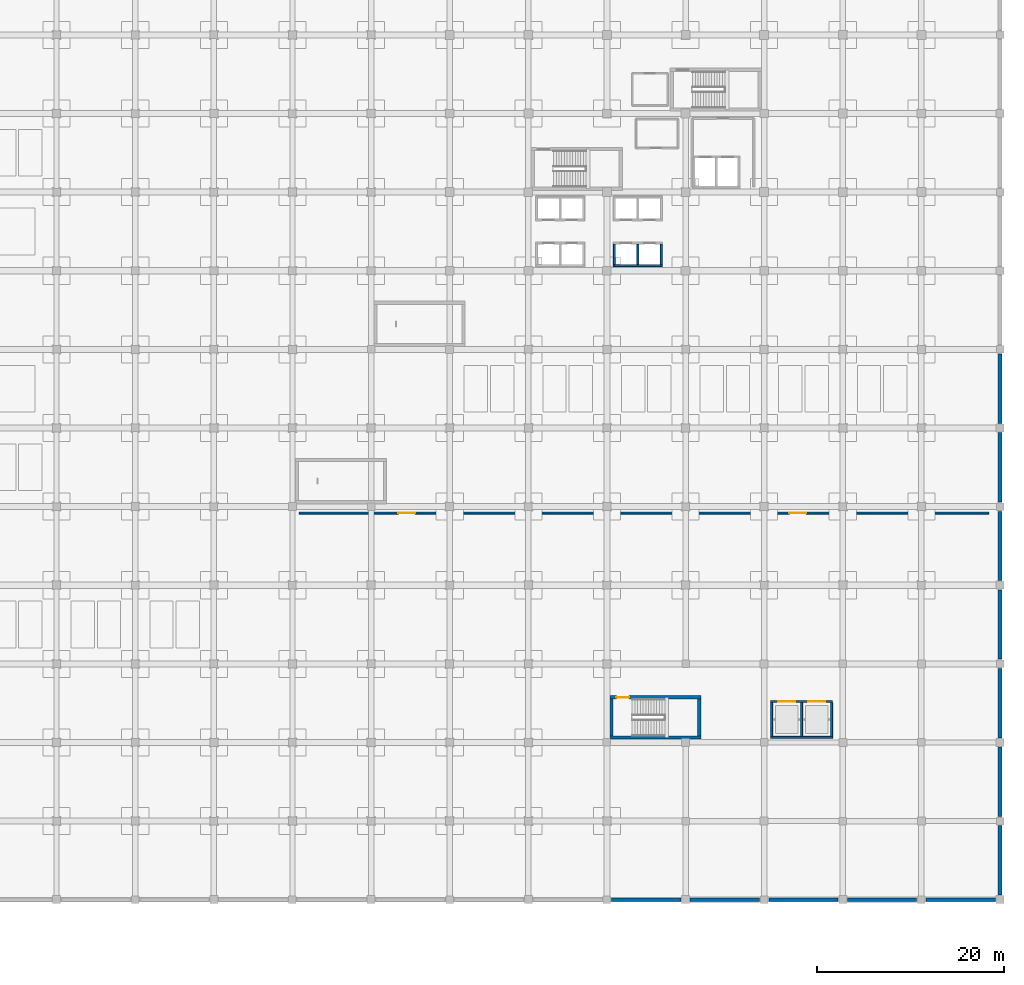
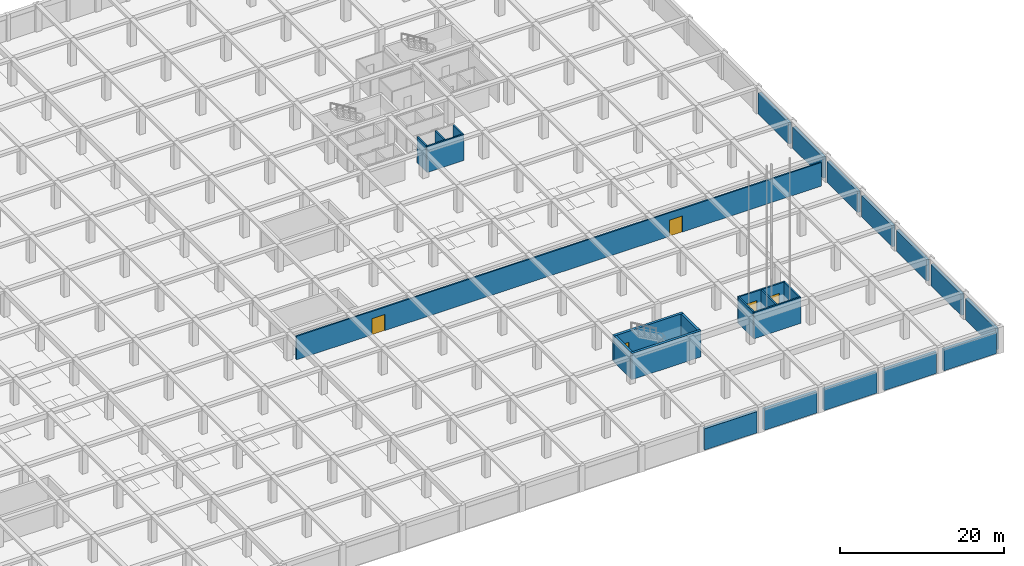
# One storey, part 19 of 32: 26 walls, 5 doors, 5 openings.
"""IFC4 building model written with IfcOpenShell, lengths in metres."""

from ifc_helpers import new_model, si_unit, direction, frame, frame_2d, origin, place, context, subcontext, project, spatial, rectangle, extrude, material, layer, layer_set, type_object, element, fill, save


model = new_model("IFC4")

# Units and contexts
model_context = context("Model", 3, precision=1e-05, world=origin(), true_north=direction((0.0, 1.0)))
body_context = subcontext(model_context, "Body", "Model", "MODEL_VIEW")
ifc_project = project(units=[si_unit("LENGTHUNIT", "METRE"), si_unit("AREAUNIT", "SQUARE_METRE"), si_unit("VOLUMEUNIT", "CUBIC_METRE"), si_unit("PLANEANGLEUNIT", "RADIAN"), si_unit("MASSUNIT", "GRAM", prefix="KILO")], contexts=[model_context])

# Site, building, storey
site_placement = place(None, origin())
site = spatial("IfcSite", under=ifc_project, at=site_placement, CompositionType="ELEMENT")
building_placement = place(site_placement, origin())
building = spatial("IfcBuilding", under=site, at=building_placement, Name="Almacenes y Pasaje Nevantli", CompositionType="ELEMENT")
storey_placement = place(building_placement, frame((0.0, 0.0, -4.199951171875)))
storey = spatial("IfcBuildingStorey", under=building, at=storey_placement, Name="B01", CompositionType="ELEMENT", Elevation=-4.199951171875)

# Wall, openings, doors
ifc_material_1 = material(Name="Fire-Rated Concrete Blockwork", Category="masonry")
ifc_layer_1 = layer(ifc_material_1, 0.199951171875)
ifc_layer_set_1 = layer_set([ifc_layer_1], Name="Fire-Rated Concrete Blockwork")
wall_type_1 = type_object("IfcWallType", Name="WL-COMP-200", PredefinedType="PARTITIONING", material=ifc_layer_set_1)
wall_1_placement = place(storey_placement, frame((93.10009765625, 41.300048828125, 0.0), z_axis=(0.0, 0.0, 1.0), x_axis=(1.0, 0.0, 0.0)))
wall_1 = element("IfcWall", 1, at=wall_1_placement, inside=storey, type_object=wall_type_1, Name="B01 Interior Partition Wall IW-200 #31", PredefinedType="PARTITIONING", context=body_context, shape_type="SweptSolid", body=[
    extrude(rectangle(XDim=73.699951171875, YDim=0.199951171875, at=frame_2d((36.85009765625, 0.0))), origin(), (0.0, 0.0, 1.0), 3.5),
])
opening_1_placement = place(wall_1_placement, frame((10.60009765625, 0.0, 0.0)))
opening_1 = element("IfcOpeningElement", 2, at=opening_1_placement, cuts=wall_1, Name="Opening ID-B01-013", PredefinedType="OPENING", context=body_context, shape_type="SweptSolid", body=[
    extrude(rectangle(XDim=1.800048828125, YDim=2.39990234375, at=frame_2d((0.89990234375, 1.199951171875))), frame((0.0, 0.10986328125, 0.0), z_axis=(0.0, -1.0, 0.0), x_axis=(1.0, 0.0, 0.0)), (0.0, 0.0, 1.0), 0.219970703125),
])
opening_2_placement = place(wall_1_placement, frame((52.39990234375, 0.0, 0.0)))
opening_2 = element("IfcOpeningElement", 3, at=opening_2_placement, cuts=wall_1, Name="Opening ID-B01-014", PredefinedType="OPENING", context=body_context, shape_type="SweptSolid", body=[
    extrude(rectangle(XDim=1.800048828125, YDim=2.39990234375, at=frame_2d((0.89990234375, 1.199951171875))), frame((0.0, 0.10986328125, 0.0), z_axis=(0.0, -1.0, 0.0), x_axis=(1.0, 0.0, 0.0)), (0.0, 0.0, 1.0), 0.219970703125),
])
ifc_material_2 = material(Name="Galvanized Fire-Rated Steel", Category="steel")
door_type_1 = type_object("IfcDoorType", Name="DR-FD60-1800", OperationType="DOUBLE_DOOR_SINGLE_SWING", PredefinedType="DOOR", material=ifc_material_2)
door_1_placement = place(opening_1_placement, origin())
door_1 = element("IfcDoor", 4, at=door_1_placement, inside=storey, type_object=door_type_1, Name="B01 B01 Bulk Stockroom Double Door 1", OperationType="DOUBLE_DOOR_SINGLE_SWING", OverallHeight=2.39990234375, OverallWidth=1.800048828125, PredefinedType="DOOR", context=body_context, shape_type="SweptSolid", body=[
    extrude(rectangle(XDim=1.800048828125, YDim=2.39990234375, at=frame_2d((0.89990234375, 1.199951171875))), frame((0.0, 0.02490234375, 0.0), z_axis=(0.0, -1.0, 0.0), x_axis=(1.0, 0.0, 0.0)), (0.0, 0.0, 1.0), 0.050048828125),
])
fill(opening_1, door_1)
door_2_placement = place(opening_2_placement, origin())
door_2 = element("IfcDoor", 5, at=door_2_placement, inside=storey, type_object=door_type_1, Name="B01 B01 Bulk Stockroom Double Door 2", OperationType="DOUBLE_DOOR_SINGLE_SWING", OverallHeight=2.39990234375, OverallWidth=1.800048828125, PredefinedType="DOOR", context=body_context, shape_type="SweptSolid", body=[
    extrude(rectangle(XDim=1.800048828125, YDim=2.39990234375, at=frame_2d((0.89990234375, 1.199951171875))), frame((0.0, 0.02490234375, 0.0), z_axis=(0.0, -1.0, 0.0), x_axis=(1.0, 0.0, 0.0)), (0.0, 0.0, 1.0), 0.050048828125),
])
fill(opening_2, door_2)

# Wall
ifc_material_3 = material(Name="Concrete C45/55", Category="concrete")
ifc_layer_2 = layer(ifc_material_3, 0.35009765625)
ifc_layer_set_2 = layer_set([ifc_layer_2], Name="Concrete C45/55")
wall_type_2 = type_object("IfcWallType", Name="WL-CORE-350", PredefinedType="SHEAR", material=ifc_layer_set_2)
wall_2_placement = place(storey_placement, frame((126.300048828125, 17.324951171875, 0.0), z_axis=(0.0, 0.0, 1.0), x_axis=(1.0, 0.0, 0.0)))
element("IfcWall", 6, at=wall_2_placement, inside=storey, type_object=wall_type_2, Name="B01 Exit Stair ST-06 South Core Shear Wall", PredefinedType="SHEAR", context=body_context, shape_type="SweptSolid", body=[
    extrude(rectangle(XDim=9.75, YDim=0.35009765625, at=frame_2d((4.875, 0.0))), origin(), (0.0, 0.0, 1.0), 3.8798828125),
])

# Wall, opening, door
wall_3_placement = place(storey_placement, frame((126.300048828125, 21.625, 0.0), z_axis=(0.0, 0.0, 1.0), x_axis=(1.0, 0.0, 0.0)))
wall_3 = element("IfcWall", 7, at=wall_3_placement, inside=storey, type_object=wall_type_2, Name="B01 Exit Stair ST-06 North Core Shear Wall", PredefinedType="SHEAR", context=body_context, shape_type="SweptSolid", body=[
    extrude(rectangle(XDim=9.75, YDim=0.35009765625, at=frame_2d((4.875, 0.0))), origin(), (0.0, 0.0, 1.0), 3.8798828125),
])
opening_3_placement = place(wall_3_placement, frame((0.719970703125, 0.0, 0.0)))
opening_3 = element("IfcOpeningElement", 8, at=opening_3_placement, cuts=wall_3, Name="Opening SD-06-B01", PredefinedType="OPENING", context=body_context, shape_type="SweptSolid", body=[
    extrude(rectangle(XDim=1.35009765625, YDim=2.25, at=frame_2d((0.675048828125, 1.125))), frame((0.0, 0.18505859375, 0.0), z_axis=(0.0, -1.0, 0.0), x_axis=(1.0, 0.0, 0.0)), (0.0, 0.0, 1.0), 0.3701171875),
])
ifc_material_4 = material(Name="Galvanized Fire-Rated Steel", Category="steel")
door_type_2 = type_object("IfcDoorType", Name="DR-STAIR-1350R", OperationType="SINGLE_SWING_RIGHT", PredefinedType="DOOR", material=ifc_material_4)
door_3_placement = place(opening_3_placement, origin())
door_3 = element("IfcDoor", 9, at=door_3_placement, inside=storey, type_object=door_type_2, Name="B01 Smokeproof Exit Stair ST-06 Fire Door", OperationType="SINGLE_SWING_RIGHT", OverallHeight=2.25, OverallWidth=1.35009765625, PredefinedType="DOOR", context=body_context, shape_type="SweptSolid", body=[
    extrude(rectangle(XDim=1.35009765625, YDim=2.25, at=frame_2d((0.675048828125, 1.125))), frame((0.0, 0.02490234375, 0.0), z_axis=(0.0, -1.0, 0.0), x_axis=(1.0, 0.0, 0.0)), (0.0, 0.0, 1.0), 0.050048828125),
])
fill(opening_3, door_3)

# Walls
for number, where, z_axis, x_axis, name in (
    (10, (126.47509765625, 17.5, 0.0), (0.0, 0.0, 1.0), (0.0, 1.0, 0.0), "B01 Exit Stair ST-06 West Core Shear Wall"),
    (11, (135.875, 17.5, 0.0), (0.0, 0.0, 1.0), (0.0, 1.0, 0.0), "B01 Exit Stair ST-06 East Core Shear Wall"),
):
    element("IfcWall", number, at=place(storey_placement, frame(where, z_axis=z_axis, x_axis=x_axis)), inside=storey, type_object=wall_type_2, Name=name, PredefinedType="SHEAR", context=body_context, shape_type="SweptSolid", body=[
        extrude(rectangle(XDim=3.949951171875, YDim=0.35009765625, at=frame_2d((1.97509765625, 0.0))), origin(), (0.0, 0.0, 1.0), 3.8798828125),
    ])
ifc_material_5 = material(Name="Concrete C45/55", Category="concrete")
ifc_layer_3 = layer(ifc_material_5, 0.2099609375)
ifc_layer_set_3 = layer_set([ifc_layer_3], Name="Concrete C45/55")
wall_type_3 = type_object("IfcWallType", Name="WL-SHAFT-210", PredefinedType="SHEAR", material=ifc_layer_set_3)
wall_4_placement = place(storey_placement, frame((126.68994140625, 67.7451171875, 0.0), z_axis=(0.0, 0.0, 1.0), x_axis=(1.0, 0.0, 0.0)))
element("IfcWall", 12, at=wall_4_placement, inside=storey, type_object=wall_type_3, Name="B01 Lift Hoistway ELV-P01-ELV-P02 South Wall", PredefinedType="SHEAR", context=body_context, shape_type="SweptSolid", body=[
    extrude(rectangle(XDim=5.219970703125, YDim=0.2099609375, at=frame_2d((2.60986328125, 0.0))), origin(), (0.0, 0.0, 1.0), 3.8798828125),
])
for number, where, z_axis, x_axis, name in (
    (13, (126.794921875, 67.85009765625, 0.0), (0.0, 0.0, 1.0), (0.0, 1.0, 0.0), "B01 Lift Hoistway ELV-P01 West Wall"),
    (14, (131.804931640625, 67.85009765625, 0.0), (0.0, 0.0, 1.0), (0.0, 1.0, 0.0), "B01 Lift Hoistway ELV-P02 East Wall"),
    (15, (129.300048828125, 67.85009765625, 0.0), (0.0, 0.0, 1.0), (0.0, 1.0, 0.0), "B01 Lift Hoistway Divider Wall ELV-P01/ELV-P02"),
):
    element("IfcWall", number, at=place(storey_placement, frame(where, z_axis=z_axis, x_axis=x_axis)), inside=storey, type_object=wall_type_3, Name=name, PredefinedType="SHEAR", context=body_context, shape_type="SweptSolid", body=[
        extrude(rectangle(XDim=2.199951171875, YDim=0.2099609375, at=frame_2d((1.10009765625, 0.0))), origin(), (0.0, 0.0, 1.0), 3.8798828125),
    ])
wall_5_placement = place(storey_placement, frame((143.489990234375, 17.344970703125, 0.0), z_axis=(0.0, 0.0, 1.0), x_axis=(1.0, 0.0, 0.0)))
element("IfcWall", 16, at=wall_5_placement, inside=storey, type_object=wall_type_3, Name="B01 Lift Hoistway ELV-G01-ELV-G02 South Wall", PredefinedType="SHEAR", context=body_context, shape_type="SweptSolid", body=[
    extrude(rectangle(XDim=6.6201171875, YDim=0.2099609375, at=frame_2d((3.31005859375, 0.0))), origin(), (0.0, 0.0, 1.0), 3.8798828125),
])

# Wall, openings, doors
wall_6_placement = place(storey_placement, frame((143.489990234375, 21.155029296875, 0.0), z_axis=(0.0, 0.0, 1.0), x_axis=(1.0, 0.0, 0.0)))
wall_6 = element("IfcWall", 17, at=wall_6_placement, inside=storey, type_object=wall_type_3, Name="B01 Lift Hoistway ELV-G01-ELV-G02 North Wall", PredefinedType="SHEAR", context=body_context, shape_type="SweptSolid", body=[
    extrude(rectangle(XDim=6.6201171875, YDim=0.2099609375, at=frame_2d((3.31005859375, 0.0))), origin(), (0.0, 0.0, 1.0), 3.8798828125),
])
opening_4_placement = place(wall_6_placement, frame((0.81005859375, 0.0, 0.0)))
opening_4 = element("IfcOpeningElement", 18, at=opening_4_placement, cuts=wall_6, Name="Opening LD-G01-B01", PredefinedType="OPENING", context=body_context, shape_type="SweptSolid", body=[
    extrude(rectangle(XDim=1.800048828125, YDim=2.449951171875, at=frame_2d((0.89990234375, 1.22509765625))), frame((0.0, 0.114990234375, 0.0), z_axis=(0.0, -1.0, 0.0), x_axis=(1.0, 0.0, 0.0)), (0.0, 0.0, 1.0), 0.22998046875),
])
opening_5_placement = place(wall_6_placement, frame((4.010009765625, 0.0, 0.0)))
opening_5 = element("IfcOpeningElement", 19, at=opening_5_placement, cuts=wall_6, Name="Opening LD-G02-B01", PredefinedType="OPENING", context=body_context, shape_type="SweptSolid", body=[
    extrude(rectangle(XDim=1.800048828125, YDim=2.449951171875, at=frame_2d((0.89990234375, 1.22509765625))), frame((0.0, 0.114990234375, 0.0), z_axis=(0.0, -1.0, 0.0), x_axis=(1.0, 0.0, 0.0)), (0.0, 0.0, 1.0), 0.22998046875),
])
ifc_material_6 = material(Name="Heavy-Duty Stainless Steel", Category="steel")
door_type_3 = type_object("IfcDoorType", Name="DR-LD-GOODS-1800", OperationType="DOUBLE_DOOR_SLIDING", PredefinedType="DOOR", material=ifc_material_6)
door_4_placement = place(opening_4_placement, origin())
door_4 = element("IfcDoor", 20, at=door_4_placement, inside=storey, type_object=door_type_3, Name="Lift Landing Door ELV-G01 B01", OperationType="DOUBLE_DOOR_SLIDING", OverallHeight=2.449951171875, OverallWidth=1.800048828125, PredefinedType="DOOR", context=body_context, shape_type="SweptSolid", body=[
    extrude(rectangle(XDim=1.800048828125, YDim=2.449951171875, at=frame_2d((0.89990234375, 1.22509765625))), frame((0.0, 0.02490234375, 0.0), z_axis=(0.0, -1.0, 0.0), x_axis=(1.0, 0.0, 0.0)), (0.0, 0.0, 1.0), 0.050048828125),
])
fill(opening_4, door_4)
door_5_placement = place(opening_5_placement, origin())
door_5 = element("IfcDoor", 21, at=door_5_placement, inside=storey, type_object=door_type_3, Name="Lift Landing Door ELV-G02 B01", OperationType="DOUBLE_DOOR_SLIDING", OverallHeight=2.449951171875, OverallWidth=1.800048828125, PredefinedType="DOOR", context=body_context, shape_type="SweptSolid", body=[
    extrude(rectangle(XDim=1.800048828125, YDim=2.449951171875, at=frame_2d((0.89990234375, 1.22509765625))), frame((0.0, 0.02490234375, 0.0), z_axis=(0.0, -1.0, 0.0), x_axis=(1.0, 0.0, 0.0)), (0.0, 0.0, 1.0), 0.050048828125),
])
fill(opening_5, door_5)

# Walls
for number, where, z_axis, x_axis, name in (
    (22, (143.594970703125, 17.449951171875, 0.0), (0.0, 0.0, 1.0), (0.0, 1.0, 0.0), "B01 Lift Hoistway ELV-G01 West Wall"),
    (23, (150.0048828125, 17.449951171875, 0.0), (0.0, 0.0, 1.0), (0.0, 1.0, 0.0), "B01 Lift Hoistway ELV-G02 East Wall"),
    (24, (146.800048828125, 17.449951171875, 0.0), (0.0, 0.0, 1.0), (0.0, 1.0, 0.0), "B01 Lift Hoistway Divider Wall ELV-G01/ELV-G02"),
):
    element("IfcWall", number, at=place(storey_placement, frame(where, z_axis=z_axis, x_axis=x_axis)), inside=storey, type_object=wall_type_3, Name=name, PredefinedType="SHEAR", context=body_context, shape_type="SweptSolid", body=[
        extrude(rectangle(XDim=3.60009765625, YDim=0.2099609375, at=frame_2d((1.800048828125, 0.0))), origin(), (0.0, 0.0, 1.0), 3.8798828125),
    ])
ifc_material_7 = material(Name="Concrete C45/55", Category="concrete")
ifc_layer_4 = layer(ifc_material_7, 0.39990234375)
ifc_layer_set_4 = layer_set([ifc_layer_4], Name="Concrete C45/55")
wall_type_4 = type_object("IfcWallType", Name="WL-SHEAR-400", PredefinedType="SHEAR", material=ifc_layer_set_4)
wall_7_placement = place(storey_placement, frame((126.5, 0.0, 0.0), z_axis=(0.0, 0.0, 1.0), x_axis=(1.0, 0.0, 0.0)))
element("IfcWall", 25, at=wall_7_placement, inside=storey, type_object=wall_type_4, Name="B01 South Basement Retaining Shear Wall #16", PredefinedType="SHEAR", context=body_context, shape_type="SweptSolid", body=[
    extrude(rectangle(XDim=7.39990234375, YDim=0.39990234375, at=frame_2d((3.699951171875, 0.0))), origin(), (0.0, 0.0, 1.0), 3.159912109375),
])
wall_8_placement = place(storey_placement, frame((134.89990234375, 0.0, 0.0), z_axis=(0.0, 0.0, 1.0), x_axis=(1.0, 0.0, 0.0)))
element("IfcWall", 26, at=wall_8_placement, inside=storey, type_object=wall_type_4, Name="B01 South Basement Retaining Shear Wall #17", PredefinedType="SHEAR", context=body_context, shape_type="SweptSolid", body=[
    extrude(rectangle(XDim=7.400146484375, YDim=0.39990234375, at=frame_2d((3.7001953125, 0.0))), origin(), (0.0, 0.0, 1.0), 3.159912109375),
])
wall_9_placement = place(storey_placement, frame((143.300048828125, 0.0, 0.0), z_axis=(0.0, 0.0, 1.0), x_axis=(1.0, 0.0, 0.0)))
element("IfcWall", 27, at=wall_9_placement, inside=storey, type_object=wall_type_4, Name="B01 South Basement Retaining Shear Wall #18", PredefinedType="SHEAR", context=body_context, shape_type="SweptSolid", body=[
    extrude(rectangle(XDim=7.39990234375, YDim=0.39990234375, at=frame_2d((3.699951171875, 0.0))), origin(), (0.0, 0.0, 1.0), 3.159912109375),
])
wall_10_placement = place(storey_placement, frame((151.699951171875, 0.0, 0.0), z_axis=(0.0, 0.0, 1.0), x_axis=(1.0, 0.0, 0.0)))
element("IfcWall", 28, at=wall_10_placement, inside=storey, type_object=wall_type_4, Name="B01 South Basement Retaining Shear Wall #19", PredefinedType="SHEAR", context=body_context, shape_type="SweptSolid", body=[
    extrude(rectangle(XDim=7.400146484375, YDim=0.39990234375, at=frame_2d((3.7001953125, 0.0))), origin(), (0.0, 0.0, 1.0), 3.159912109375),
])
for number, where, z_axis, x_axis, name in (
    (29, (160.10009765625, 0.0, 0.0), (0.0, 0.0, 1.0), (1.0, 0.0, 0.0), "B01 South Basement Retaining Shear Wall #20"),
    (30, (168.0, 0.5, 0.0), (0.0, 0.0, 1.0), (0.0, 1.0, 0.0), "B01 East Basement Retaining Shear Wall #1"),
):
    element("IfcWall", number, at=place(storey_placement, frame(where, z_axis=z_axis, x_axis=x_axis)), inside=storey, type_object=wall_type_4, Name=name, PredefinedType="SHEAR", context=body_context, shape_type="SweptSolid", body=[
        extrude(rectangle(XDim=7.39990234375, YDim=0.39990234375, at=frame_2d((3.699951171875, 0.0))), origin(), (0.0, 0.0, 1.0), 3.159912109375),
    ])
wall_11_placement = place(storey_placement, frame((168.0, 8.89990234375, 0.0), z_axis=(0.0, 0.0, 1.0), x_axis=(0.0, 1.0, 0.0)))
element("IfcWall", 31, at=wall_11_placement, inside=storey, type_object=wall_type_4, Name="B01 East Basement Retaining Shear Wall #2", PredefinedType="SHEAR", context=body_context, shape_type="SweptSolid", body=[
    extrude(rectangle(XDim=7.400146484375, YDim=0.39990234375, at=frame_2d((3.7001953125, 0.0))), origin(), (0.0, 0.0, 1.0), 3.159912109375),
])
wall_12_placement = place(storey_placement, frame((168.0, 17.300048828125, 0.0), z_axis=(0.0, 0.0, 1.0), x_axis=(0.0, 1.0, 0.0)))
element("IfcWall", 32, at=wall_12_placement, inside=storey, type_object=wall_type_4, Name="B01 East Basement Retaining Shear Wall #3", PredefinedType="SHEAR", context=body_context, shape_type="SweptSolid", body=[
    extrude(rectangle(XDim=7.39990234375, YDim=0.39990234375, at=frame_2d((3.699951171875, 0.0))), origin(), (0.0, 0.0, 1.0), 3.159912109375),
])
wall_13_placement = place(storey_placement, frame((168.0, 25.699951171875, 0.0), z_axis=(0.0, 0.0, 1.0), x_axis=(0.0, 1.0, 0.0)))
element("IfcWall", 33, at=wall_13_placement, inside=storey, type_object=wall_type_4, Name="B01 East Basement Retaining Shear Wall #4", PredefinedType="SHEAR", context=body_context, shape_type="SweptSolid", body=[
    extrude(rectangle(XDim=7.400146484375, YDim=0.39990234375, at=frame_2d((3.7001953125, 0.0))), origin(), (0.0, 0.0, 1.0), 3.159912109375),
])
for number, where, z_axis, x_axis, name in (
    (34, (168.0, 34.10009765625, 0.0), (0.0, 0.0, 1.0), (0.0, 1.0, 0.0), "B01 East Basement Retaining Shear Wall #5"),
    (35, (168.0, 42.5, 0.0), (0.0, 0.0, 1.0), (0.0, 1.0, 0.0), "B01 East Basement Retaining Shear Wall #6"),
):
    element("IfcWall", number, at=place(storey_placement, frame(where, z_axis=z_axis, x_axis=x_axis)), inside=storey, type_object=wall_type_4, Name=name, PredefinedType="SHEAR", context=body_context, shape_type="SweptSolid", body=[
        extrude(rectangle(XDim=7.39990234375, YDim=0.39990234375, at=frame_2d((3.699951171875, 0.0))), origin(), (0.0, 0.0, 1.0), 3.159912109375),
    ])
wall_14_placement = place(storey_placement, frame((168.0, 50.89990234375, 0.0), z_axis=(0.0, 0.0, 1.0), x_axis=(0.0, 1.0, 0.0)))
element("IfcWall", 36, at=wall_14_placement, inside=storey, type_object=wall_type_4, Name="B01 East Basement Retaining Shear Wall #7", PredefinedType="SHEAR", context=body_context, shape_type="SweptSolid", body=[
    extrude(rectangle(XDim=7.400146484375, YDim=0.39990234375, at=frame_2d((3.7001953125, 0.0))), origin(), (0.0, 0.0, 1.0), 3.159912109375),
])

save(model, "model.ifc")
